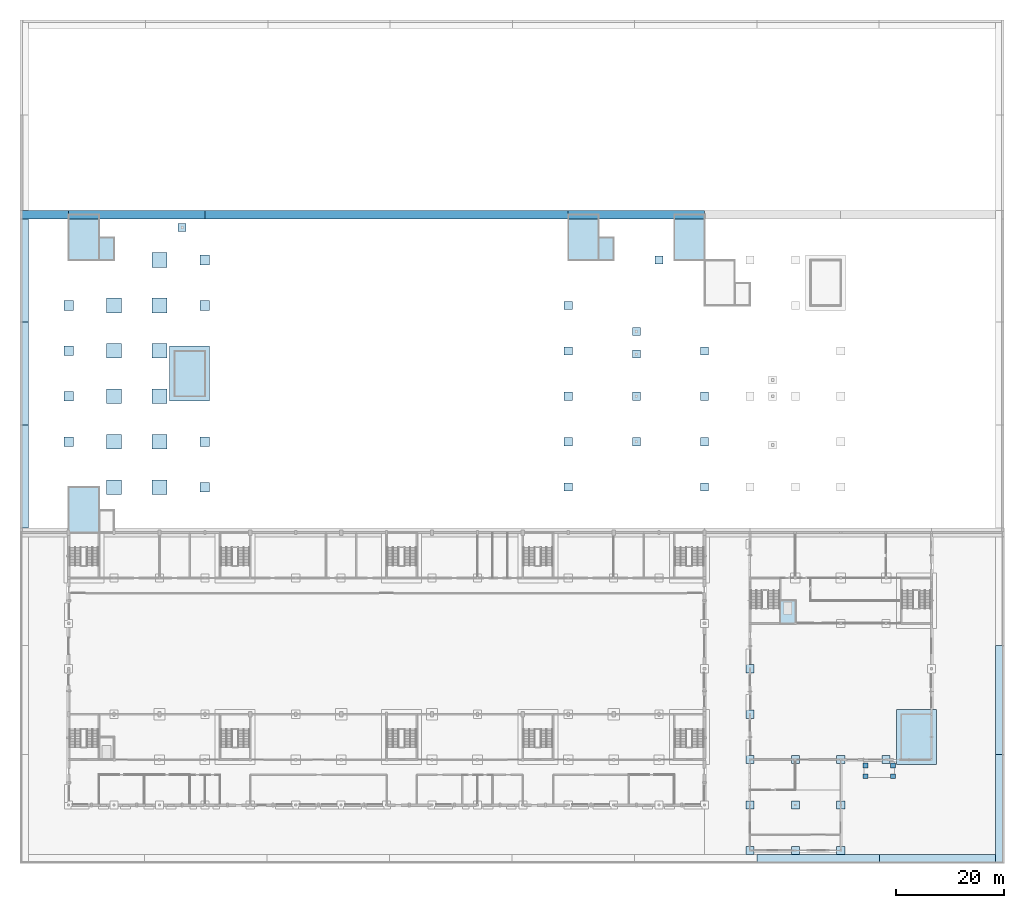
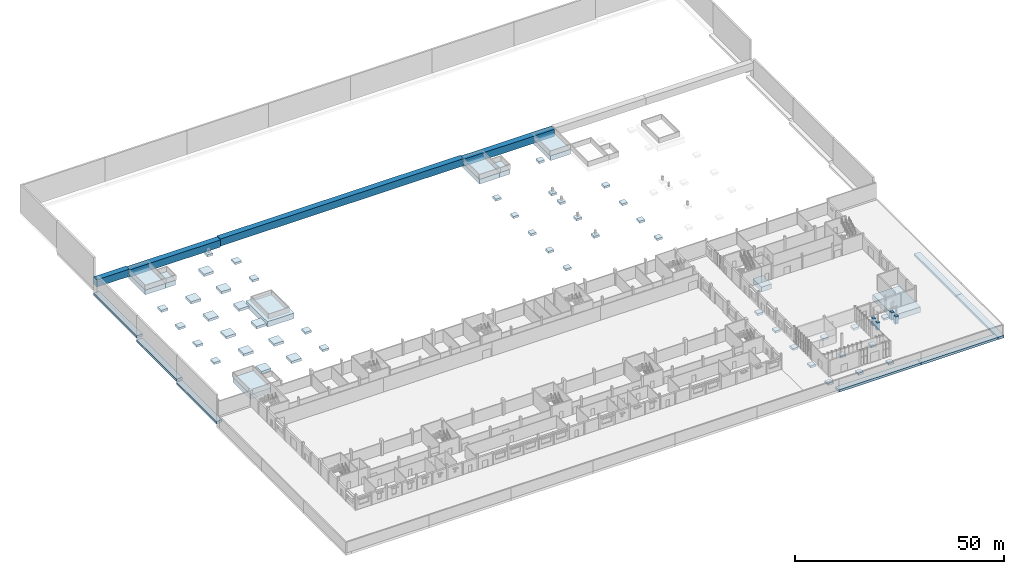
# One storey, part 2 of 36: 70 footings.
"""IFC4 building model written with IfcOpenShell, lengths in metres."""

from ifc_helpers import new_model, si_unit, direction, frame, origin, origin_2d, place, context, subcontext, project, spatial, polyline, rectangle, outline, extrude, material, type_object, element, save


model = new_model("IFC4")

# Units and contexts
model_context = context("Model", 3, precision=1e-05, world=origin(), true_north=direction((0.0, 1.0)))
body_context = subcontext(model_context, "Body", "Model", "MODEL_VIEW")
ifc_project = project(units=[si_unit("LENGTHUNIT", "METRE"), si_unit("AREAUNIT", "SQUARE_METRE"), si_unit("VOLUMEUNIT", "CUBIC_METRE"), si_unit("PLANEANGLEUNIT", "RADIAN"), si_unit("MASSUNIT", "GRAM", prefix="KILO")], contexts=[model_context])

# Site, building, storey
site_placement = place(None, origin())
site = spatial("IfcSite", under=ifc_project, at=site_placement, CompositionType="ELEMENT")
building_placement = place(site_placement, origin())
building = spatial("IfcBuilding", under=site, at=building_placement, Name="Fescue Hill Polytechnic", CompositionType="ELEMENT")
storey_placement = place(building_placement, origin())
storey = spatial("IfcBuildingStorey", under=building, at=storey_placement, Name="L00", CompositionType="ELEMENT", Elevation=0.0)

# Footings
ifc_material = material(Name="Concrete 35 MPa", Category="concrete")
footing_type_1 = type_object("IfcFootingType", Name="Canopy pad footing 900x900x2100", PredefinedType="PAD_FOOTING", material=ifc_material)
for number, where, z_axis, x_axis, name in (
    (1, (147.3798828125, 7.2900390625, -2.10009765625), (0.0, 0.0, 1.0), (1.0, 0.0, 0.0), "Canopy pad footing V3"),
    (2, (147.3798828125, 5.340087890625, -2.10009765625), (0.0, 0.0, 1.0), (1.0, 0.0, 0.0), "Canopy pad footing V3"),
    (3, (152.47998046875, 7.2900390625, -2.10009765625), (0.0, 0.0, 1.0), (1.0, 0.0, 0.0), "Canopy pad footing V3"),
    (4, (152.47998046875, 5.340087890625, -2.10009765625), (0.0, 0.0, 1.0), (1.0, 0.0, 0.0), "Canopy pad footing V3"),
):
    element("IfcFooting", number, at=place(storey_placement, frame(where, z_axis=z_axis, x_axis=x_axis)), inside=storey, type_object=footing_type_1, Name=name, PredefinedType="PAD_FOOTING", context=body_context, shape_type="SweptSolid", body=[
        extrude(rectangle(XDim=0.89990234375, YDim=0.89990234375, at=origin_2d()), origin(), (0.0, 0.0, 1.0), 2.10009765625),
    ])
footing_type_2 = type_object("IfcFootingType", Name="Pad footing 1500x1500x600", PredefinedType="PAD_FOOTING", material=ifc_material)
footing_1_placement = place(storey_placement, frame((0.0, 0.0, -2.10009765625)))
element("IfcFooting", 5, at=footing_1_placement, inside=storey, type_object=footing_type_2, Name="FT-L00-060", PredefinedType="PAD_FOOTING", context=body_context, shape_type="SweptSolid", body=[
    extrude(outline(polyline([(126.75, -9.14990234375), (126.75, -7.64990234375), (125.25, -7.64990234375), (125.25, -9.14990234375), (126.75, -9.14990234375)])), origin(), (0.0, 0.0, 1.0), 0.60009765625),
])
footing_2_placement = place(storey_placement, frame((0.0, 0.0, -2.10009765625)))
element("IfcFooting", 6, at=footing_2_placement, inside=storey, type_object=footing_type_2, Name="FT-L00-061", PredefinedType="PAD_FOOTING", context=body_context, shape_type="SweptSolid", body=[
    extrude(outline(polyline([(126.75, -0.75), (126.75, 0.75), (125.25, 0.75), (125.25, -0.75), (126.75, -0.75)])), origin(), (0.0, 0.0, 1.0), 0.60009765625),
])
footing_3_placement = place(storey_placement, frame((0.0, 0.0, -2.10009765625)))
element("IfcFooting", 7, at=footing_3_placement, inside=storey, type_object=footing_type_2, Name="FT-L00-062", PredefinedType="PAD_FOOTING", context=body_context, shape_type="SweptSolid", body=[
    extrude(outline(polyline([(126.75, 7.64990234375), (126.75, 9.14990234375), (125.25, 9.14990234375), (125.25, 7.64990234375), (126.75, 7.64990234375)])), origin(), (0.0, 0.0, 1.0), 0.60009765625),
])
footing_4_placement = place(storey_placement, frame((0.0, 0.0, -2.10009765625)))
element("IfcFooting", 8, at=footing_4_placement, inside=storey, type_object=footing_type_2, Name="FT-L00-063", PredefinedType="PAD_FOOTING", context=body_context, shape_type="SweptSolid", body=[
    extrude(outline(polyline([(126.75, 16.050048828125), (126.75, 17.550048828125), (125.25, 17.550048828125), (125.25, 16.050048828125), (126.75, 16.050048828125)])), origin(), (0.0, 0.0, 1.0), 0.60009765625),
])
footing_5_placement = place(storey_placement, frame((0.0, 0.0, -2.10009765625)))
element("IfcFooting", 9, at=footing_5_placement, inside=storey, type_object=footing_type_2, Name="FT-L00-064", PredefinedType="PAD_FOOTING", context=body_context, shape_type="SweptSolid", body=[
    extrude(outline(polyline([(126.75, 24.449951171875), (126.75, 25.949951171875), (125.25, 25.949951171875), (125.25, 24.449951171875), (126.75, 24.449951171875)])), origin(), (0.0, 0.0, 1.0), 0.60009765625),
])
footing_6_placement = place(storey_placement, frame((0.0, 0.0, -2.10009765625)))
element("IfcFooting", 10, at=footing_6_placement, inside=storey, type_object=footing_type_2, Name="FT-L00-068", PredefinedType="PAD_FOOTING", context=body_context, shape_type="SweptSolid", body=[
    extrude(outline(polyline([(135.14990234375, -9.14990234375), (135.14990234375, -7.64990234375), (133.64990234375, -7.64990234375), (133.64990234375, -9.14990234375), (135.14990234375, -9.14990234375)])), origin(), (0.0, 0.0, 1.0), 0.60009765625),
])
footing_7_placement = place(storey_placement, frame((0.0, 0.0, -2.10009765625)))
element("IfcFooting", 11, at=footing_7_placement, inside=storey, type_object=footing_type_2, Name="FT-L00-069", PredefinedType="PAD_FOOTING", context=body_context, shape_type="SweptSolid", body=[
    extrude(outline(polyline([(135.14990234375, -0.75), (135.14990234375, 0.75), (133.64990234375, 0.75), (133.64990234375, -0.75), (135.14990234375, -0.75)])), origin(), (0.0, 0.0, 1.0), 0.60009765625),
])
footing_8_placement = place(storey_placement, frame((0.0, 0.0, -2.10009765625)))
element("IfcFooting", 12, at=footing_8_placement, inside=storey, type_object=footing_type_2, Name="FT-L00-070", PredefinedType="PAD_FOOTING", context=body_context, shape_type="SweptSolid", body=[
    extrude(outline(polyline([(135.14990234375, 7.64990234375), (135.14990234375, 9.14990234375), (133.64990234375, 9.14990234375), (133.64990234375, 7.64990234375), (135.14990234375, 7.64990234375)])), origin(), (0.0, 0.0, 1.0), 0.60009765625),
])
footing_9_placement = place(storey_placement, frame((0.0, 0.0, -2.10009765625)))
element("IfcFooting", 13, at=footing_9_placement, inside=storey, type_object=footing_type_2, Name="FT-L00-072", PredefinedType="PAD_FOOTING", context=body_context, shape_type="SweptSolid", body=[
    extrude(outline(polyline([(143.550048828125, -9.14990234375), (143.550048828125, -7.64990234375), (142.050048828125, -7.64990234375), (142.050048828125, -9.14990234375), (143.550048828125, -9.14990234375)])), origin(), (0.0, 0.0, 1.0), 0.60009765625),
])
footing_10_placement = place(storey_placement, frame((0.0, 0.0, -2.10009765625)))
element("IfcFooting", 14, at=footing_10_placement, inside=storey, type_object=footing_type_2, Name="FT-L00-073", PredefinedType="PAD_FOOTING", context=body_context, shape_type="SweptSolid", body=[
    extrude(outline(polyline([(143.550048828125, -0.75), (143.550048828125, 0.75), (142.050048828125, 0.75), (142.050048828125, -0.75), (143.550048828125, -0.75)])), origin(), (0.0, 0.0, 1.0), 0.60009765625),
])
footing_11_placement = place(storey_placement, frame((0.0, 0.0, -2.10009765625)))
element("IfcFooting", 15, at=footing_11_placement, inside=storey, type_object=footing_type_2, Name="FT-L00-074", PredefinedType="PAD_FOOTING", context=body_context, shape_type="SweptSolid", body=[
    extrude(outline(polyline([(143.550048828125, 7.64990234375), (143.550048828125, 9.14990234375), (142.050048828125, 9.14990234375), (142.050048828125, 7.64990234375), (143.550048828125, 7.64990234375)])), origin(), (0.0, 0.0, 1.0), 0.60009765625),
])
footing_12_placement = place(storey_placement, frame((0.0, 0.0, -2.10009765625)))
element("IfcFooting", 16, at=footing_12_placement, inside=storey, type_object=footing_type_2, Name="FT-L00-077", PredefinedType="PAD_FOOTING", context=body_context, shape_type="SweptSolid", body=[
    extrude(outline(polyline([(151.949951171875, 7.64990234375), (151.949951171875, 9.14990234375), (150.449951171875, 9.14990234375), (150.449951171875, 7.64990234375), (151.949951171875, 7.64990234375)])), origin(), (0.0, 0.0, 1.0), 0.60009765625),
])
footing_13_placement = place(storey_placement, frame((0.0, 0.0, 2.39990234375)))
element("IfcFooting", 17, at=footing_13_placement, inside=storey, type_object=footing_type_2, Name="FT-L00-106", PredefinedType="PAD_FOOTING", context=body_context, shape_type="SweptSolid", body=[
    extrude(outline(polyline([(93.14990234375, 58.050048828125), (93.14990234375, 59.550048828125), (91.64990234375, 59.550048828125), (91.64990234375, 58.050048828125), (93.14990234375, 58.050048828125)])), origin(), (0.0, 0.0, 1.0), 0.60009765625),
])
footing_14_placement = place(storey_placement, frame((0.0, 0.0, 2.39990234375)))
element("IfcFooting", 18, at=footing_14_placement, inside=storey, type_object=footing_type_2, Name="FT-L00-107", PredefinedType="PAD_FOOTING", context=body_context, shape_type="SweptSolid", body=[
    extrude(outline(polyline([(93.14990234375, 66.449951171875), (93.14990234375, 67.949951171875), (91.64990234375, 67.949951171875), (91.64990234375, 66.449951171875), (93.14990234375, 66.449951171875)])), origin(), (0.0, 0.0, 1.0), 0.60009765625),
])
footing_15_placement = place(storey_placement, frame((0.0, 0.0, 2.39990234375)))
element("IfcFooting", 19, at=footing_15_placement, inside=storey, type_object=footing_type_2, Name="FT-L00-108", PredefinedType="PAD_FOOTING", context=body_context, shape_type="SweptSolid", body=[
    extrude(outline(polyline([(93.14990234375, 74.85009765625), (93.14990234375, 76.35009765625), (91.64990234375, 76.35009765625), (91.64990234375, 74.85009765625), (93.14990234375, 74.85009765625)])), origin(), (0.0, 0.0, 1.0), 0.60009765625),
])
footing_16_placement = place(storey_placement, frame((0.0, 0.0, 2.39990234375)))
element("IfcFooting", 20, at=footing_16_placement, inside=storey, type_object=footing_type_2, Name="FT-L00-109", PredefinedType="PAD_FOOTING", context=body_context, shape_type="SweptSolid", body=[
    extrude(outline(polyline([(93.14990234375, 83.25), (93.14990234375, 84.75), (91.64990234375, 84.75), (91.64990234375, 83.25), (93.14990234375, 83.25)])), origin(), (0.0, 0.0, 1.0), 0.60009765625),
])
footing_17_placement = place(storey_placement, frame((0.0, 0.0, 2.39990234375)))
element("IfcFooting", 21, at=footing_17_placement, inside=storey, type_object=footing_type_2, Name="FT-L00-110", PredefinedType="PAD_FOOTING", context=body_context, shape_type="SweptSolid", body=[
    extrude(outline(polyline([(93.14990234375, 91.64990234375), (93.14990234375, 93.14990234375), (91.64990234375, 93.14990234375), (91.64990234375, 91.64990234375), (93.14990234375, 91.64990234375)])), origin(), (0.0, 0.0, 1.0), 0.60009765625),
])
footing_18_placement = place(storey_placement, frame((0.0, 0.0, 2.39990234375)))
element("IfcFooting", 22, at=footing_18_placement, inside=storey, type_object=footing_type_2, Name="FT-L00-113", PredefinedType="PAD_FOOTING", context=body_context, shape_type="SweptSolid", body=[
    extrude(outline(polyline([(109.949951171875, 100.050048828125), (109.949951171875, 101.550048828125), (108.449951171875, 101.550048828125), (108.449951171875, 100.050048828125), (109.949951171875, 100.050048828125)])), origin(), (0.0, 0.0, 1.0), 0.60009765625),
])
footing_19_placement = place(storey_placement, frame((0.0, 0.0, 2.39990234375)))
element("IfcFooting", 23, at=footing_19_placement, inside=storey, type_object=footing_type_2, Name="FT-L00-115", PredefinedType="PAD_FOOTING", context=body_context, shape_type="SweptSolid", body=[
    extrude(outline(polyline([(118.35009765625, 58.050048828125), (118.35009765625, 59.550048828125), (116.85009765625, 59.550048828125), (116.85009765625, 58.050048828125), (118.35009765625, 58.050048828125)])), origin(), (0.0, 0.0, 1.0), 0.60009765625),
])
footing_20_placement = place(storey_placement, frame((0.0, 0.0, 2.39990234375)))
element("IfcFooting", 24, at=footing_20_placement, inside=storey, type_object=footing_type_2, Name="FT-L00-116", PredefinedType="PAD_FOOTING", context=body_context, shape_type="SweptSolid", body=[
    extrude(outline(polyline([(118.35009765625, 66.449951171875), (118.35009765625, 67.949951171875), (116.85009765625, 67.949951171875), (116.85009765625, 66.449951171875), (118.35009765625, 66.449951171875)])), origin(), (0.0, 0.0, 1.0), 0.60009765625),
])
footing_21_placement = place(storey_placement, frame((0.0, 0.0, 2.39990234375)))
element("IfcFooting", 25, at=footing_21_placement, inside=storey, type_object=footing_type_2, Name="FT-L00-117", PredefinedType="PAD_FOOTING", context=body_context, shape_type="SweptSolid", body=[
    extrude(outline(polyline([(118.35009765625, 74.85009765625), (118.35009765625, 76.35009765625), (116.85009765625, 76.35009765625), (116.85009765625, 74.85009765625), (118.35009765625, 74.85009765625)])), origin(), (0.0, 0.0, 1.0), 0.60009765625),
])
footing_22_placement = place(storey_placement, frame((0.0, 0.0, 2.39990234375)))
element("IfcFooting", 26, at=footing_22_placement, inside=storey, type_object=footing_type_2, Name="FT-L00-118", PredefinedType="PAD_FOOTING", context=body_context, shape_type="SweptSolid", body=[
    extrude(outline(polyline([(118.35009765625, 83.25), (118.35009765625, 84.75), (116.85009765625, 84.75), (116.85009765625, 83.25), (118.35009765625, 83.25)])), origin(), (0.0, 0.0, 1.0), 0.60009765625),
])
footing_23_placement = place(storey_placement, frame((0.0, 0.0, 2.39990234375)))
element("IfcFooting", 27, at=footing_23_placement, inside=storey, type_object=footing_type_2, Name="FT-L00-136", PredefinedType="PAD_FOOTING", context=body_context, shape_type="SweptSolid", body=[
    extrude(outline(polyline([(21.75, 106.050048828125), (21.75, 107.550048828125), (20.25, 107.550048828125), (20.25, 106.050048828125), (21.75, 106.050048828125)])), origin(), (0.0, 0.0, 1.0), 0.60009765625),
])
footing_24_placement = place(storey_placement, frame((0.0, 0.0, 2.39990234375)))
element("IfcFooting", 28, at=footing_24_placement, inside=storey, type_object=footing_type_2, Name="FT-L00-137", PredefinedType="PAD_FOOTING", context=body_context, shape_type="SweptSolid", body=[
    extrude(outline(polyline([(105.75, 82.64990234375), (105.75, 84.14990234375), (104.25, 84.14990234375), (104.25, 82.64990234375), (105.75, 82.64990234375)])), origin(), (0.0, 0.0, 1.0), 0.60009765625),
])
footing_25_placement = place(storey_placement, frame((0.0, 0.0, 2.39990234375)))
element("IfcFooting", 29, at=footing_25_placement, inside=storey, type_object=footing_type_2, Name="FT-L00-138", PredefinedType="PAD_FOOTING", context=body_context, shape_type="SweptSolid", body=[
    extrude(outline(polyline([(105.75, 66.449951171875), (105.75, 67.949951171875), (104.25, 67.949951171875), (104.25, 66.449951171875), (105.75, 66.449951171875)])), origin(), (0.0, 0.0, 1.0), 0.60009765625),
])
footing_26_placement = place(storey_placement, frame((0.0, 0.0, 2.39990234375)))
element("IfcFooting", 30, at=footing_26_placement, inside=storey, type_object=footing_type_2, Name="FT-L00-139", PredefinedType="PAD_FOOTING", context=body_context, shape_type="SweptSolid", body=[
    extrude(outline(polyline([(105.75, 86.85009765625), (105.75, 88.35009765625), (104.25, 88.35009765625), (104.25, 86.85009765625), (105.75, 86.85009765625)])), origin(), (0.0, 0.0, 1.0), 0.60009765625),
])
footing_27_placement = place(storey_placement, frame((0.0, 0.0, 2.39990234375)))
element("IfcFooting", 31, at=footing_27_placement, inside=storey, type_object=footing_type_2, Name="FT-L00-140", PredefinedType="PAD_FOOTING", context=body_context, shape_type="SweptSolid", body=[
    extrude(outline(polyline([(105.75, 74.85009765625), (105.75, 76.35009765625), (104.25, 76.35009765625), (104.25, 74.85009765625), (105.75, 74.85009765625)])), origin(), (0.0, 0.0, 1.0), 0.60009765625),
])
footing_type_3 = type_object("IfcFootingType", Name="Pad footing 1800x1800x600", PredefinedType="PAD_FOOTING", material=ifc_material)
footing_28_placement = place(storey_placement, frame((0.0, 0.0, 2.39990234375)))
element("IfcFooting", 32, at=footing_28_placement, inside=storey, type_object=footing_type_3, Name="FT-L00-082", PredefinedType="PAD_FOOTING", context=body_context, shape_type="SweptSolid", body=[
    extrude(outline(polyline([(0.89990234375, 66.300048828125), (0.89990234375, 68.10009765625), (-0.89990234375, 68.10009765625), (-0.89990234375, 66.300048828125), (0.89990234375, 66.300048828125)])), origin(), (0.0, 0.0, 1.0), 0.60009765625),
])
footing_29_placement = place(storey_placement, frame((0.0, 0.0, 2.39990234375)))
element("IfcFooting", 33, at=footing_29_placement, inside=storey, type_object=footing_type_3, Name="FT-L00-083", PredefinedType="PAD_FOOTING", context=body_context, shape_type="SweptSolid", body=[
    extrude(outline(polyline([(0.89990234375, 74.699951171875), (0.89990234375, 76.5), (-0.89990234375, 76.5), (-0.89990234375, 74.699951171875), (0.89990234375, 74.699951171875)])), origin(), (0.0, 0.0, 1.0), 0.60009765625),
])
footing_30_placement = place(storey_placement, frame((0.0, 0.0, 2.39990234375)))
element("IfcFooting", 34, at=footing_30_placement, inside=storey, type_object=footing_type_3, Name="FT-L00-084", PredefinedType="PAD_FOOTING", context=body_context, shape_type="SweptSolid", body=[
    extrude(outline(polyline([(0.89990234375, 83.10009765625), (0.89990234375, 84.89990234375), (-0.89990234375, 84.89990234375), (-0.89990234375, 83.10009765625), (0.89990234375, 83.10009765625)])), origin(), (0.0, 0.0, 1.0), 0.60009765625),
])
footing_31_placement = place(storey_placement, frame((0.0, 0.0, 2.39990234375)))
element("IfcFooting", 35, at=footing_31_placement, inside=storey, type_object=footing_type_3, Name="FT-L00-085", PredefinedType="PAD_FOOTING", context=body_context, shape_type="SweptSolid", body=[
    extrude(outline(polyline([(0.89990234375, 91.5), (0.89990234375, 93.300048828125), (-0.89990234375, 93.300048828125), (-0.89990234375, 91.5), (0.89990234375, 91.5)])), origin(), (0.0, 0.0, 1.0), 0.60009765625),
])
footing_32_placement = place(storey_placement, frame((0.0, 0.0, 2.39990234375)))
element("IfcFooting", 36, at=footing_32_placement, inside=storey, type_object=footing_type_3, Name="FT-L00-102", PredefinedType="PAD_FOOTING", context=body_context, shape_type="SweptSolid", body=[
    extrude(outline(polyline([(26.10009765625, 57.89990234375), (26.10009765625, 59.699951171875), (24.300048828125, 59.699951171875), (24.300048828125, 57.89990234375), (26.10009765625, 57.89990234375)])), origin(), (0.0, 0.0, 1.0), 0.60009765625),
])
footing_33_placement = place(storey_placement, frame((0.0, 0.0, 2.39990234375)))
element("IfcFooting", 37, at=footing_33_placement, inside=storey, type_object=footing_type_3, Name="FT-L00-103", PredefinedType="PAD_FOOTING", context=body_context, shape_type="SweptSolid", body=[
    extrude(outline(polyline([(26.10009765625, 66.300048828125), (26.10009765625, 68.10009765625), (24.300048828125, 68.10009765625), (24.300048828125, 66.300048828125), (26.10009765625, 66.300048828125)])), origin(), (0.0, 0.0, 1.0), 0.60009765625),
])
footing_34_placement = place(storey_placement, frame((0.0, 0.0, 2.39990234375)))
element("IfcFooting", 38, at=footing_34_placement, inside=storey, type_object=footing_type_3, Name="FT-L00-104", PredefinedType="PAD_FOOTING", context=body_context, shape_type="SweptSolid", body=[
    extrude(outline(polyline([(26.10009765625, 91.5), (26.10009765625, 93.300048828125), (24.300048828125, 93.300048828125), (24.300048828125, 91.5), (26.10009765625, 91.5)])), origin(), (0.0, 0.0, 1.0), 0.60009765625),
])
footing_35_placement = place(storey_placement, frame((0.0, 0.0, 2.39990234375)))
element("IfcFooting", 39, at=footing_35_placement, inside=storey, type_object=footing_type_3, Name="FT-L00-105", PredefinedType="PAD_FOOTING", context=body_context, shape_type="SweptSolid", body=[
    extrude(outline(polyline([(26.10009765625, 99.89990234375), (26.10009765625, 101.699951171875), (24.300048828125, 101.699951171875), (24.300048828125, 99.89990234375), (26.10009765625, 99.89990234375)])), origin(), (0.0, 0.0, 1.0), 0.60009765625),
])
footing_type_4 = type_object("IfcFootingType", Name="Pad footing 2700x2700x700", PredefinedType="PAD_FOOTING", material=ifc_material)
footing_36_placement = place(storey_placement, frame((0.0, 0.0, 2.300048828125)))
element("IfcFooting", 40, at=footing_36_placement, inside=storey, type_object=footing_type_4, Name="FT-L00-090", PredefinedType="PAD_FOOTING", context=body_context, shape_type="SweptSolid", body=[
    extrude(outline(polyline([(9.75, 57.449951171875), (9.75, 60.14990234375), (7.050048828125, 60.14990234375), (7.050048828125, 57.449951171875), (9.75, 57.449951171875)])), origin(), (0.0, 0.0, 1.0), 0.699951171875),
])
footing_37_placement = place(storey_placement, frame((0.0, 0.0, 2.300048828125)))
element("IfcFooting", 41, at=footing_37_placement, inside=storey, type_object=footing_type_4, Name="FT-L00-091", PredefinedType="PAD_FOOTING", context=body_context, shape_type="SweptSolid", body=[
    extrude(outline(polyline([(9.75, 65.85009765625), (9.75, 68.550048828125), (7.050048828125, 68.550048828125), (7.050048828125, 65.85009765625), (9.75, 65.85009765625)])), origin(), (0.0, 0.0, 1.0), 0.699951171875),
])
footing_38_placement = place(storey_placement, frame((0.0, 0.0, 2.300048828125)))
element("IfcFooting", 42, at=footing_38_placement, inside=storey, type_object=footing_type_4, Name="FT-L00-092", PredefinedType="PAD_FOOTING", context=body_context, shape_type="SweptSolid", body=[
    extrude(outline(polyline([(9.75, 74.25), (9.75, 76.949951171875), (7.050048828125, 76.949951171875), (7.050048828125, 74.25), (9.75, 74.25)])), origin(), (0.0, 0.0, 1.0), 0.699951171875),
])
footing_39_placement = place(storey_placement, frame((0.0, 0.0, 2.300048828125)))
element("IfcFooting", 43, at=footing_39_placement, inside=storey, type_object=footing_type_4, Name="FT-L00-093", PredefinedType="PAD_FOOTING", context=body_context, shape_type="SweptSolid", body=[
    extrude(outline(polyline([(9.75, 82.64990234375), (9.75, 85.35009765625), (7.050048828125, 85.35009765625), (7.050048828125, 82.64990234375), (9.75, 82.64990234375)])), origin(), (0.0, 0.0, 1.0), 0.699951171875),
])
footing_40_placement = place(storey_placement, frame((0.0, 0.0, 2.300048828125)))
element("IfcFooting", 44, at=footing_40_placement, inside=storey, type_object=footing_type_4, Name="FT-L00-094", PredefinedType="PAD_FOOTING", context=body_context, shape_type="SweptSolid", body=[
    extrude(outline(polyline([(9.75, 91.050048828125), (9.75, 93.75), (7.050048828125, 93.75), (7.050048828125, 91.050048828125), (9.75, 91.050048828125)])), origin(), (0.0, 0.0, 1.0), 0.699951171875),
])
footing_41_placement = place(storey_placement, frame((0.0, 0.0, 2.300048828125)))
element("IfcFooting", 45, at=footing_41_placement, inside=storey, type_object=footing_type_4, Name="FT-L00-095", PredefinedType="PAD_FOOTING", context=body_context, shape_type="SweptSolid", body=[
    extrude(outline(polyline([(18.14990234375, 57.449951171875), (18.14990234375, 60.14990234375), (15.449951171875, 60.14990234375), (15.449951171875, 57.449951171875), (18.14990234375, 57.449951171875)])), origin(), (0.0, 0.0, 1.0), 0.699951171875),
])
footing_42_placement = place(storey_placement, frame((0.0, 0.0, 2.300048828125)))
element("IfcFooting", 46, at=footing_42_placement, inside=storey, type_object=footing_type_4, Name="FT-L00-096", PredefinedType="PAD_FOOTING", context=body_context, shape_type="SweptSolid", body=[
    extrude(outline(polyline([(18.14990234375, 65.85009765625), (18.14990234375, 68.550048828125), (15.449951171875, 68.550048828125), (15.449951171875, 65.85009765625), (18.14990234375, 65.85009765625)])), origin(), (0.0, 0.0, 1.0), 0.699951171875),
])
footing_43_placement = place(storey_placement, frame((0.0, 0.0, 2.300048828125)))
element("IfcFooting", 47, at=footing_43_placement, inside=storey, type_object=footing_type_4, Name="FT-L00-097", PredefinedType="PAD_FOOTING", context=body_context, shape_type="SweptSolid", body=[
    extrude(outline(polyline([(18.14990234375, 74.25), (18.14990234375, 76.949951171875), (15.449951171875, 76.949951171875), (15.449951171875, 74.25), (18.14990234375, 74.25)])), origin(), (0.0, 0.0, 1.0), 0.699951171875),
])
footing_44_placement = place(storey_placement, frame((0.0, 0.0, 2.300048828125)))
element("IfcFooting", 48, at=footing_44_placement, inside=storey, type_object=footing_type_4, Name="FT-L00-098", PredefinedType="PAD_FOOTING", context=body_context, shape_type="SweptSolid", body=[
    extrude(outline(polyline([(18.14990234375, 82.64990234375), (18.14990234375, 85.35009765625), (15.449951171875, 85.35009765625), (15.449951171875, 82.64990234375), (18.14990234375, 82.64990234375)])), origin(), (0.0, 0.0, 1.0), 0.699951171875),
])
footing_45_placement = place(storey_placement, frame((0.0, 0.0, 2.300048828125)))
element("IfcFooting", 49, at=footing_45_placement, inside=storey, type_object=footing_type_4, Name="FT-L00-099", PredefinedType="PAD_FOOTING", context=body_context, shape_type="SweptSolid", body=[
    extrude(outline(polyline([(18.14990234375, 91.050048828125), (18.14990234375, 93.75), (15.449951171875, 93.75), (15.449951171875, 91.050048828125), (18.14990234375, 91.050048828125)])), origin(), (0.0, 0.0, 1.0), 0.699951171875),
])
footing_46_placement = place(storey_placement, frame((0.0, 0.0, 2.300048828125)))
element("IfcFooting", 50, at=footing_46_placement, inside=storey, type_object=footing_type_4, Name="FT-L00-100", PredefinedType="PAD_FOOTING", context=body_context, shape_type="SweptSolid", body=[
    extrude(outline(polyline([(18.14990234375, 99.449951171875), (18.14990234375, 102.14990234375), (15.449951171875, 102.14990234375), (15.449951171875, 99.449951171875), (18.14990234375, 99.449951171875)])), origin(), (0.0, 0.0, 1.0), 0.699951171875),
])
footing_type_5 = type_object("IfcFootingType", Name="Pad footing 2800x4200x1400", PredefinedType="PAD_FOOTING", material=ifc_material)
footing_47_placement = place(storey_placement, frame((0.0, 0.0, -2.89990234375)))
element("IfcFooting", 51, at=footing_47_placement, inside=storey, type_object=footing_type_5, Name="FT-L00-066", PredefinedType="PAD_FOOTING", context=body_context, shape_type="SweptSolid", body=[
    extrude(outline(polyline([(134.39990234375, 33.60009765625), (134.39990234375, 37.800048828125), (131.60009765625, 37.800048828125), (131.60009765625, 33.60009765625), (134.39990234375, 33.60009765625)])), origin(), (0.0, 0.0, 1.0), 1.39990234375),
])
footing_48_placement = place(storey_placement, frame((0.0, 0.0, 1.60009765625)))
element("IfcFooting", 52, at=footing_48_placement, inside=storey, type_object=footing_type_5, Name="FT-L00-089", PredefinedType="PAD_FOOTING", context=body_context, shape_type="SweptSolid", body=[
    extrude(outline(polyline([(8.39990234375, 100.800048828125), (8.39990234375, 105.0), (5.60009765625, 105.0), (5.60009765625, 100.800048828125), (8.39990234375, 100.800048828125)])), origin(), (0.0, 0.0, 1.0), 1.39990234375),
])
footing_49_placement = place(storey_placement, frame((0.0, 0.0, 1.60009765625)))
element("IfcFooting", 53, at=footing_49_placement, inside=storey, type_object=footing_type_5, Name="FT-L00-112", PredefinedType="PAD_FOOTING", context=body_context, shape_type="SweptSolid", body=[
    extrude(outline(polyline([(100.800048828125, 100.800048828125), (100.800048828125, 105.0), (98.0, 105.0), (98.0, 100.800048828125), (100.800048828125, 100.800048828125)])), origin(), (0.0, 0.0, 1.0), 1.39990234375),
])
footing_type_6 = type_object("IfcFootingType", Name="Raft footing 5600x8400x1400", PredefinedType="PAD_FOOTING", material=ifc_material)
footing_50_placement = place(storey_placement, frame((0.0, 0.0, 1.60009765625)))
element("IfcFooting", 54, at=footing_50_placement, inside=storey, type_object=footing_type_6, Name="FT-L00-086", PredefinedType="PAD_FOOTING", context=body_context, shape_type="SweptSolid", body=[
    extrude(outline(polyline([(5.60009765625, 50.39990234375), (5.60009765625, 58.800048828125), (0.0, 58.800048828125), (0.0, 50.39990234375), (5.60009765625, 50.39990234375)])), origin(), (0.0, 0.0, 1.0), 1.39990234375),
])
footing_51_placement = place(storey_placement, frame((0.0, 0.0, 1.60009765625)))
element("IfcFooting", 55, at=footing_51_placement, inside=storey, type_object=footing_type_6, Name="FT-L00-087", PredefinedType="PAD_FOOTING", context=body_context, shape_type="SweptSolid", body=[
    extrude(outline(polyline([(5.60009765625, 100.800048828125), (5.60009765625, 109.199951171875), (0.0, 109.199951171875), (0.0, 100.800048828125), (5.60009765625, 100.800048828125)])), origin(), (0.0, 0.0, 1.0), 1.39990234375),
])
footing_52_placement = place(storey_placement, frame((0.0, 0.0, 1.60009765625)))
element("IfcFooting", 56, at=footing_52_placement, inside=storey, type_object=footing_type_6, Name="FT-L00-111", PredefinedType="PAD_FOOTING", context=body_context, shape_type="SweptSolid", body=[
    extrude(outline(polyline([(98.0, 100.800048828125), (98.0, 109.199951171875), (92.39990234375, 109.199951171875), (92.39990234375, 100.800048828125), (98.0, 100.800048828125)])), origin(), (0.0, 0.0, 1.0), 1.39990234375),
])
footing_53_placement = place(storey_placement, frame((0.0, 0.0, 1.60009765625)))
element("IfcFooting", 57, at=footing_53_placement, inside=storey, type_object=footing_type_6, Name="FT-L00-114", PredefinedType="PAD_FOOTING", context=body_context, shape_type="SweptSolid", body=[
    extrude(outline(polyline([(117.60009765625, 100.800048828125), (117.60009765625, 109.199951171875), (112.0, 109.199951171875), (112.0, 100.800048828125), (117.60009765625, 100.800048828125)])), origin(), (0.0, 0.0, 1.0), 1.39990234375),
])
footing_type_7 = type_object("IfcFootingType", Name="Raft footing 7400x10200x1600", PredefinedType="PAD_FOOTING", material=ifc_material)
footing_54_placement = place(storey_placement, frame((0.0, 0.0, -3.10009765625)))
element("IfcFooting", 58, at=footing_54_placement, inside=storey, type_object=footing_type_7, Name="FT-L00-079", PredefinedType="PAD_FOOTING", context=body_context, shape_type="SweptSolid", body=[
    extrude(outline(polyline([(153.10009765625, 7.5), (153.10009765625, 17.699951171875), (160.5, 17.699951171875), (160.5, 7.5), (153.10009765625, 7.5)])), origin(), (0.0, 0.0, 1.0), 1.60009765625),
])
footing_55_placement = place(storey_placement, frame((0.0, 0.0, 1.39990234375)))
element("IfcFooting", 59, at=footing_55_placement, inside=storey, type_object=footing_type_7, Name="FT-L00-101", PredefinedType="PAD_FOOTING", context=body_context, shape_type="SweptSolid", body=[
    extrude(outline(polyline([(18.699951171875, 74.699951171875), (18.699951171875, 84.89990234375), (26.10009765625, 84.89990234375), (26.10009765625, 74.699951171875), (18.699951171875, 74.699951171875)])), origin(), (0.0, 0.0, 1.0), 1.60009765625),
])
footing_type_8 = type_object("IfcFootingType", Name="Strip footing 1600x2100", PredefinedType="STRIP_FOOTING", material=ifc_material)
footing_56_placement = place(storey_placement, frame((0.0, 0.0, 2.39990234375)))
element("IfcFooting", 60, at=footing_56_placement, inside=storey, type_object=footing_type_8, Name="SF-L00-004", PredefinedType="STRIP_FOOTING", context=body_context, shape_type="SweptSolid", body=[
    extrude(outline(polyline([(92.39990234375, 110.0), (92.39990234375, 108.39990234375), (25.199951171875, 108.39990234375), (25.199951171875, 110.0), (92.39990234375, 110.0)])), origin(), (0.0, 0.0, 1.0), 2.10009765625),
])
footing_57_placement = place(storey_placement, frame((0.0, 0.0, 2.39990234375)))
element("IfcFooting", 61, at=footing_57_placement, inside=storey, type_object=footing_type_8, Name="SF-L00-006", PredefinedType="STRIP_FOOTING", context=body_context, shape_type="SweptSolid", body=[
    extrude(outline(polyline([(0.0, 110.0), (0.0, 108.39990234375), (-8.989990234375, 108.39990234375), (-8.989990234375, 110.0), (0.0, 110.0)])), origin(), (0.0, 0.0, 1.0), 2.10009765625),
])
footing_58_placement = place(storey_placement, frame((0.0, 0.0, 2.14990234375)))
element("IfcFooting", 62, at=footing_58_placement, inside=storey, type_object=footing_type_8, Name="SF-L00-010", PredefinedType="STRIP_FOOTING", context=body_context, shape_type="SweptSolid", body=[
    extrude(outline(polyline([(0.0, 108.39990234375), (0.0, 110.0), (25.199951171875, 110.0), (25.199951171875, 108.39990234375), (0.0, 108.39990234375)])), origin(), (0.0, 0.0, 1.0), 2.10009765625),
])
footing_59_placement = place(storey_placement, frame((0.0, 0.0, 2.14990234375)))
element("IfcFooting", 63, at=footing_59_placement, inside=storey, type_object=footing_type_8, Name="SF-L00-011", PredefinedType="STRIP_FOOTING", context=body_context, shape_type="SweptSolid", body=[
    extrude(outline(polyline([(92.39990234375, 108.39990234375), (92.39990234375, 110.0), (117.60009765625, 110.0), (117.60009765625, 108.39990234375), (92.39990234375, 108.39990234375)])), origin(), (0.0, 0.0, 1.0), 2.10009765625),
])
footing_type_9 = type_object("IfcFootingType", Name="Strip footing 1600x700", PredefinedType="STRIP_FOOTING", material=ifc_material)
footing_60_placement = place(storey_placement, frame((0.0, 0.0, -2.905029296875)))
element("IfcFooting", 64, at=footing_60_placement, inside=storey, type_object=footing_type_9, Name="SF-PW04", PredefinedType="STRIP_FOOTING", context=body_context, shape_type="SweptSolid", body=[
    extrude(outline(polyline([(-8.989990234375, 51.199951171875), (-7.389892578125, 51.199951171875), (-7.389892578125, 70.2666015625), (-8.989990234375, 70.2666015625), (-8.989990234375, 51.199951171875)])), origin(), (0.0, 0.0, 1.0), 0.699951171875),
])
footing_61_placement = place(storey_placement, frame((0.0, 0.0, -2.094970703125)))
element("IfcFooting", 65, at=footing_61_placement, inside=storey, type_object=footing_type_9, Name="SF-PW05", PredefinedType="STRIP_FOOTING", context=body_context, shape_type="SweptSolid", body=[
    extrude(outline(polyline([(-8.989990234375, 70.2666015625), (-7.389892578125, 70.2666015625), (-7.389892578125, 89.333251953125), (-8.989990234375, 89.333251953125), (-8.989990234375, 70.2666015625)])), origin(), (0.0, 0.0, 1.0), 0.699951171875),
])
footing_62_placement = place(storey_placement, frame((0.0, 0.0, -0.948974609375)))
element("IfcFooting", 66, at=footing_62_placement, inside=storey, type_object=footing_type_9, Name="SF-PW06", PredefinedType="STRIP_FOOTING", context=body_context, shape_type="SweptSolid", body=[
    extrude(outline(polyline([(-8.989990234375, 89.333251953125), (-7.389892578125, 89.333251953125), (-7.389892578125, 110.0), (-8.989990234375, 110.0), (-8.989990234375, 89.333251953125)])), origin(), (0.0, 0.0, 1.0), 0.699951171875),
])
footing_63_placement = place(storey_placement, frame((0.0, 0.0, -3.800048828125)))
element("IfcFooting", 67, at=footing_63_placement, inside=storey, type_object=footing_type_9, Name="SF-PW09", PredefinedType="STRIP_FOOTING", context=body_context, shape_type="SweptSolid", body=[
    extrude(outline(polyline([(171.389892578125, -10.79296875), (172.989990234375, -10.79296875), (172.989990234375, 9.337890625), (171.389892578125, 9.337890625), (171.389892578125, -10.79296875)])), origin(), (0.0, 0.0, 1.0), 0.699951171875),
])
footing_64_placement = place(storey_placement, frame((0.0, 0.0, -3.800048828125)))
element("IfcFooting", 68, at=footing_64_placement, inside=storey, type_object=footing_type_9, Name="SF-PW10", PredefinedType="STRIP_FOOTING", context=body_context, shape_type="SweptSolid", body=[
    extrude(outline(polyline([(171.389892578125, 9.337890625), (172.989990234375, 9.337890625), (172.989990234375, 29.468994140625), (171.389892578125, 29.468994140625), (171.389892578125, 9.337890625)])), origin(), (0.0, 0.0, 1.0), 0.699951171875),
])
footing_65_placement = place(storey_placement, frame((0.0, 0.0, -3.800048828125)))
element("IfcFooting", 69, at=footing_65_placement, inside=storey, type_object=footing_type_9, Name="SF-PW23", PredefinedType="STRIP_FOOTING", context=body_context, shape_type="SweptSolid", body=[
    extrude(outline(polyline([(127.321533203125, -10.7900390625), (149.982177734375, -10.7900390625), (149.982177734375, -9.18994140625), (127.321533203125, -9.18994140625), (127.321533203125, -10.7900390625)])), origin(), (0.0, 0.0, 1.0), 0.699951171875),
])
footing_66_placement = place(storey_placement, frame((0.0, 0.0, -3.800048828125)))
element("IfcFooting", 70, at=footing_66_placement, inside=storey, type_object=footing_type_9, Name="SF-PW24", PredefinedType="STRIP_FOOTING", context=body_context, shape_type="SweptSolid", body=[
    extrude(outline(polyline([(149.982177734375, -10.7900390625), (171.389892578125, -10.7900390625), (171.389892578125, -9.18994140625), (149.982177734375, -9.18994140625), (149.982177734375, -10.7900390625)])), origin(), (0.0, 0.0, 1.0), 0.699951171875),
])

save(model, "model.ifc")
